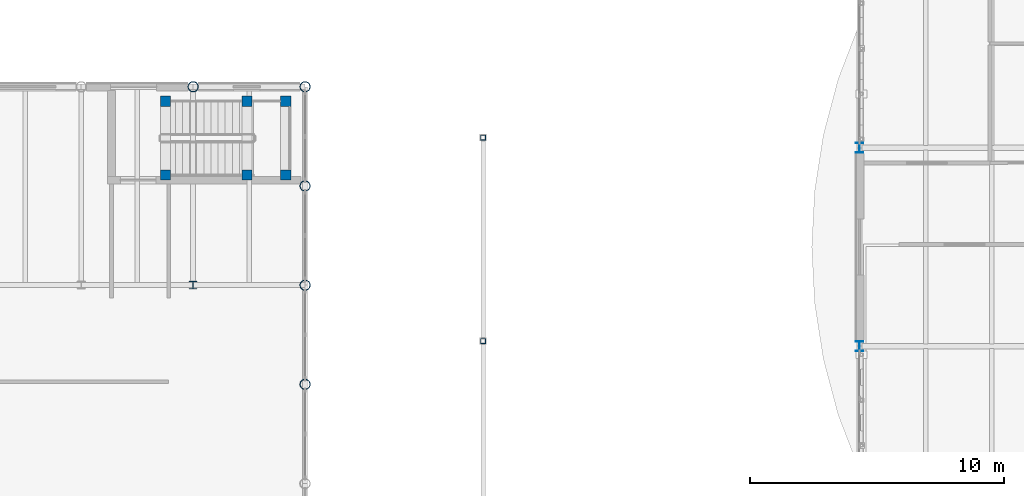
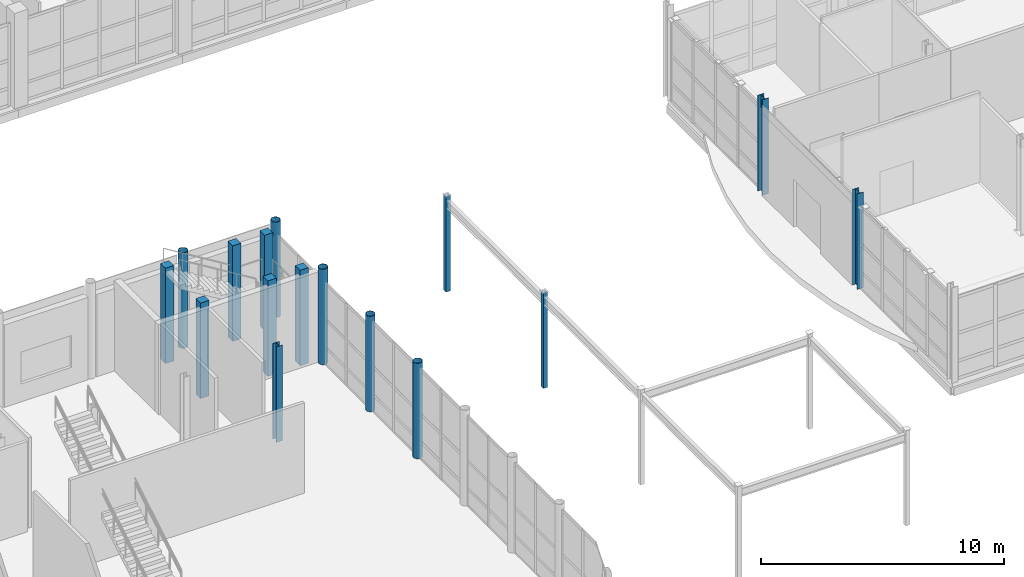
# One storey, part 16 of 131: 16 columns.
"""IFC4 building model written with IfcOpenShell, lengths in metres."""

from ifc_helpers import new_model, si_unit, direction, frame, origin, origin_2d, place, context, subcontext, project, spatial, rectangle, hollow_rectangle, hollow_circle, i_section, extrude, material, material_profile, profile_set, type_object, element, save


model = new_model("IFC4")

# Units and contexts
model_context = context("Model", 3, precision=1e-05, world=origin(), true_north=direction((0.0, 1.0)))
body_context = subcontext(model_context, "Body", "Model", "MODEL_VIEW")
ifc_project = project(units=[si_unit("LENGTHUNIT", "METRE"), si_unit("AREAUNIT", "SQUARE_METRE"), si_unit("VOLUMEUNIT", "CUBIC_METRE"), si_unit("PLANEANGLEUNIT", "RADIAN"), si_unit("MASSUNIT", "GRAM", prefix="KILO")], contexts=[model_context])

# Site, building, storey
site_placement = place(None, origin())
site = spatial("IfcSite", under=ifc_project, at=site_placement, CompositionType="ELEMENT")
building_placement = place(site_placement, origin())
building = spatial("IfcBuilding", under=site, at=building_placement, Name="Celorna Specialist Clinic", CompositionType="ELEMENT")
storey_placement = place(building_placement, origin())
storey = spatial("IfcBuildingStorey", under=building, at=storey_placement, Name="L00", CompositionType="ELEMENT", Elevation=0.0)

# Columns
ifc_material_1 = material(Name="Concrete C35/45", Category="concrete")
ifc_material_profile_1 = material_profile(ifc_material_1, rectangle(XDim=0.39990234375, YDim=0.39990234375, at=origin_2d()), Name="RC 400x400")
ifc_profile_set_1 = profile_set([ifc_material_profile_1], Name="Concrete C35/45")
column_type_1 = type_object("IfcColumnType", Name="CT-08", PredefinedType="COLUMN", material=ifc_profile_set_1)
for number, where, z_axis, x_axis, name in (
    (1, (97.52001953125, 74.530029296875, 0.0), (0.0, 0.0, 1.0), (1.0, 0.0, 0.0), "Stair ST-11 landing column CT-08 L00 X14/YP"),
    (2, (97.52001953125, 77.429931640625, 0.0), (0.0, 0.0, 1.0), (1.0, 0.0, 0.0), "Stair ST-11 landing column CT-08 L00 X14/YP"),
    (3, (100.719970703125, 74.530029296875, 0.0), (0.0, 0.0, 1.0), (1.0, 0.0, 0.0), "Stair ST-11 landing column CT-08 L00 X14/YP"),
    (4, (100.719970703125, 77.429931640625, 0.0), (0.0, 0.0, 1.0), (1.0, 0.0, 0.0), "Stair ST-11 landing column CT-08 L00 X14/YP"),
    (5, (102.239990234375, 74.530029296875, 0.0), (0.0, 0.0, 1.0), (1.0, 0.0, 0.0), "Stair ST-11 landing column CT-08 L00 X14A/YP"),
    (6, (102.239990234375, 77.429931640625, 0.0), (0.0, 0.0, 1.0), (1.0, 0.0, 0.0), "Stair ST-11 landing column CT-08 L00 X14A/YP"),
):
    element("IfcColumn", number, at=place(storey_placement, frame(where, z_axis=z_axis, x_axis=x_axis)), inside=storey, type_object=column_type_1, Name=name, PredefinedType="COLUMN", context=body_context, shape_type="SweptSolid", body=[
        extrude(rectangle(XDim=0.39990234375, YDim=0.39990234375, at=origin_2d()), origin(), (0.0, 0.0, 1.0), 4.800048828125),
    ])
ifc_material_2 = material(Name="Steel S355", Category="steel")
ifc_material_profile_2 = material_profile(ifc_material_2, hollow_circle(Radius=0.203125, WallThickness=0.01611328125, at=origin_2d()), Name="CHS 406.4x16")
ifc_profile_set_2 = profile_set([ifc_material_profile_2], Name="Steel S355")
column_type_2 = type_object("IfcColumnType", Name="CT-12", PredefinedType="COLUMN", material=ifc_profile_set_2)
for number, where, z_axis, x_axis, name in (
    (7, (98.60009765625, 78.0, 0.0), (0.0, 0.0, 1.0), (1.0, 0.0, 0.0), "Column CT-12 L00 X14/YP"),
    (8, (103.0, 78.0, 0.0), (0.0, 0.0, 1.0), (1.0, 0.0, 0.0), "Column CT-12 L00 X14A/YP"),
    (9, (103.0, 66.300048828125, 0.0), (0.0, 0.0, 1.0), (1.0, 0.0, 0.0), "Column CT-12 L00 X14A/YM"),
    (10, (103.0, 70.199951171875, 0.0), (0.0, 0.0, 1.0), (1.0, 0.0, 0.0), "Column CT-12 L00 X14A/YN"),
    (11, (103.0, 74.10009765625, 0.0), (0.0, 0.0, 1.0), (1.0, 0.0, 0.0), "Column CT-12 L00 X14A/YN"),
):
    element("IfcColumn", number, at=place(storey_placement, frame(where, z_axis=z_axis, x_axis=x_axis)), inside=storey, type_object=column_type_2, Name=name, PredefinedType="COLUMN", context=body_context, shape_type="SweptSolid", body=[
        extrude(hollow_circle(Radius=0.203125, WallThickness=0.01611328125, at=origin_2d()), origin(), (0.0, 0.0, 1.0), 4.800048828125),
    ])
ifc_material_profile_3 = material_profile(ifc_material_2, i_section(OverallWidth=0.300048828125, OverallDepth=0.300048828125, WebThickness=0.010986328125, FlangeThickness=0.01904296875, at=origin_2d()), Name="HE 300 B")
ifc_profile_set_3 = profile_set([ifc_material_profile_3], Name="Steel S355")
column_type_3 = type_object("IfcColumnType", Name="CT-14", PredefinedType="COLUMN", material=ifc_profile_set_3)
column_placement = place(storey_placement, frame((98.60009765625, 70.199951171875, 0.0), z_axis=(0.0, 0.0, 1.0), x_axis=(1.0, 0.0, 0.0)))
element("IfcColumn", 12, at=column_placement, inside=storey, type_object=column_type_3, Name="Column CT-14 L00 X14/YN", PredefinedType="COLUMN", context=body_context, shape_type="SweptSolid", body=[
    extrude(i_section(OverallWidth=0.300048828125, OverallDepth=0.300048828125, WebThickness=0.010986328125, FlangeThickness=0.01904296875, at=origin_2d()), origin(), (0.0, 0.0, 1.0), 4.800048828125),
])
ifc_material_profile_4 = material_profile(ifc_material_2, hollow_rectangle(XDim=0.199951171875, YDim=0.199951171875, WallThickness=0.010009765625, at=origin_2d()), Name="SHS 200x200x10")
ifc_profile_set_4 = profile_set([ifc_material_profile_4], Name="Steel S355")
column_type_4 = type_object("IfcColumnType", Name="CT-15", PredefinedType="COLUMN", material=ifc_profile_set_4)
for number, where, z_axis, x_axis, name in (
    (13, (110.0, 68.0, 0.0), (0.0, 0.0, 1.0), (1.0, 0.0, 0.0), "Garden colonnade column #3"),
    (14, (110.0, 76.0, 0.0), (0.0, 0.0, 1.0), (1.0, 0.0, 0.0), "Garden colonnade column #4"),
):
    element("IfcColumn", number, at=place(storey_placement, frame(where, z_axis=z_axis, x_axis=x_axis)), inside=storey, type_object=column_type_4, Name=name, PredefinedType="COLUMN", context=body_context, shape_type="SweptSolid", body=[
        extrude(hollow_rectangle(XDim=0.199951171875, YDim=0.199951171875, WallThickness=0.010009765625, at=origin_2d()), origin(), (0.0, 0.0, 1.0), 4.800048828125),
    ])
ifc_material_profile_5 = material_profile(ifc_material_2, i_section(OverallWidth=0.300048828125, OverallDepth=0.389892578125, WebThickness=0.010986328125, FlangeThickness=0.01904296875, at=origin_2d()), Name="HE 400 A")
ifc_profile_set_5 = profile_set([ifc_material_profile_5], Name="Steel S355")
column_type_5 = type_object("IfcColumnType", Name="CT-18", PredefinedType="COLUMN", material=ifc_profile_set_5)
for number, where, z_axis, x_axis, name in (
    (15, (124.800048828125, 67.800048828125, 0.0), (0.0, 0.0, 1.0), (1.0, 0.0, 0.0), "Column CT-18 L00 X17/YN"),
    (16, (124.800048828125, 75.60009765625, 0.0), (0.0, 0.0, 1.0), (1.0, 0.0, 0.0), "Column CT-18 L00 X17/YP"),
):
    element("IfcColumn", number, at=place(storey_placement, frame(where, z_axis=z_axis, x_axis=x_axis)), inside=storey, type_object=column_type_5, Name=name, PredefinedType="COLUMN", context=body_context, shape_type="SweptSolid", body=[
        extrude(i_section(OverallWidth=0.300048828125, OverallDepth=0.389892578125, WebThickness=0.010986328125, FlangeThickness=0.01904296875, at=origin_2d()), origin(), (0.0, 0.0, 1.0), 4.800048828125),
    ])

save(model, "model.ifc")
